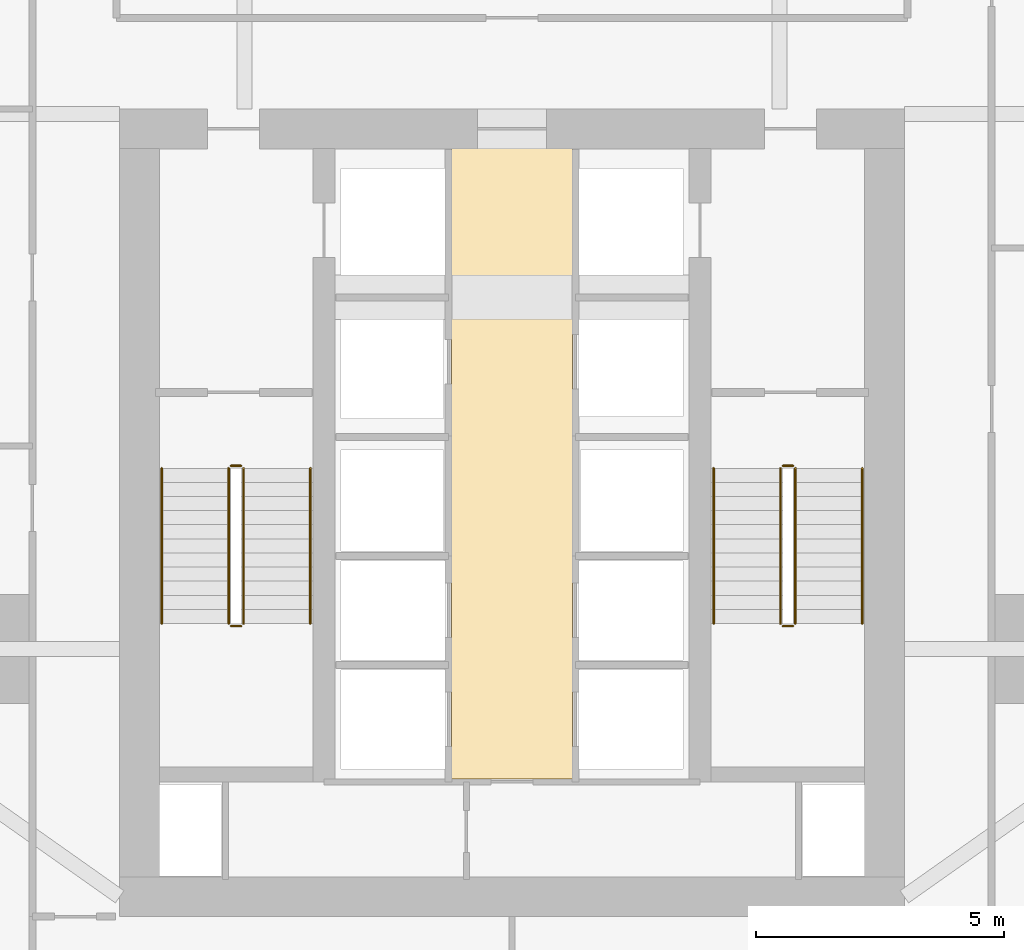
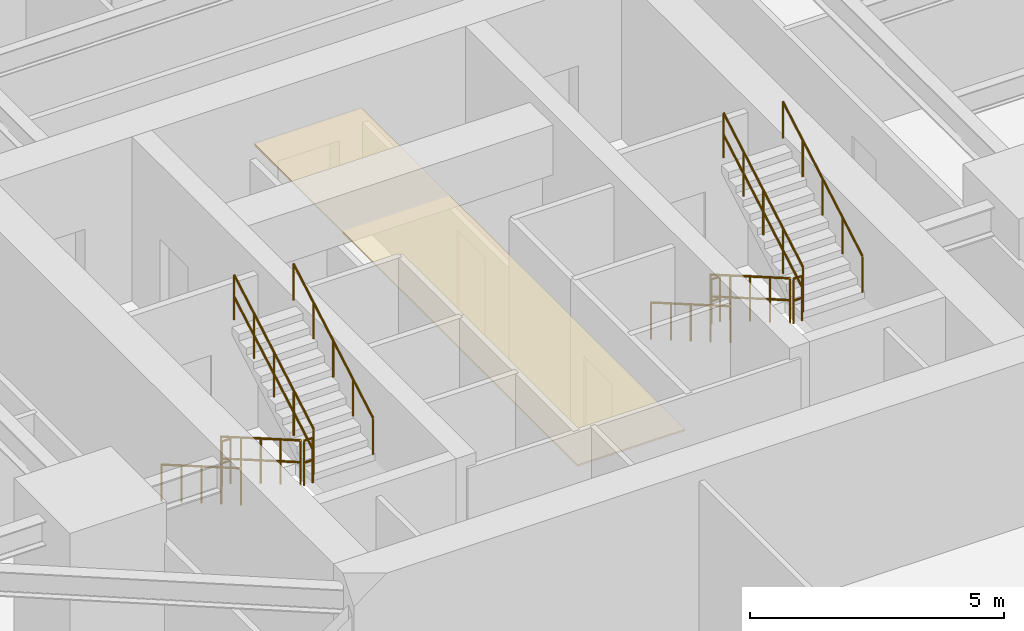
# One storey, part 27 of 28: 12 railings, 1 covering.
"""IFC4 building model written with IfcOpenShell, lengths in metres."""

from ifc_helpers import new_model, si_unit, direction, frame, origin, origin_2d, place, context, subcontext, project, spatial, polyline, circle, outline, extrude, material, layer, layer_set, type_object, element, save


model = new_model("IFC4")

# Units and contexts
model_context = context("Model", 3, precision=1e-05, world=origin(), true_north=direction((0.0, 1.0)))
body_context = subcontext(model_context, "Body", "Model", "MODEL_VIEW")
ifc_project = project(units=[si_unit("LENGTHUNIT", "METRE"), si_unit("AREAUNIT", "SQUARE_METRE"), si_unit("VOLUMEUNIT", "CUBIC_METRE"), si_unit("PLANEANGLEUNIT", "RADIAN"), si_unit("MASSUNIT", "GRAM", prefix="KILO")], contexts=[model_context])

# Site, building, storey
site_placement = place(None, origin())
site = spatial("IfcSite", under=ifc_project, at=site_placement, CompositionType="ELEMENT")
building_placement = place(site_placement, origin())
building = spatial("IfcBuilding", under=site, at=building_placement, Name="Krantzveldt Concourse Tower", CompositionType="ELEMENT")
storey_placement = place(building_placement, frame((0.0, 0.0, 32.89990234375)))
storey = spatial("IfcBuildingStorey", under=building, at=storey_placement, Name="L07", CompositionType="ELEMENT", Elevation=32.89990234375)

# Covering
ifc_material_1 = material(Name="Perforated acoustic mineral-fibre ceiling tile", Category="ceiling")
ifc_layer_1 = layer(ifc_material_1, 0.0400390625, Name="Perforated acoustic mineral-fibre ceiling tile", Category="ceiling")
ifc_layer_set_1 = layer_set([ifc_layer_1], Name="Perforated acoustic mineral-fibre ceiling tile (COV-CEIL-ACOUSTIC)")
covering_type = type_object("IfcCoveringType", Name="COV-CEIL-ACOUSTIC", PredefinedType="CEILING", material=ifc_layer_set_1)
covering_placement = place(storey_placement, frame((0.0, 0.0, 2.75)))
element("IfcCovering", 1, at=covering_placement, inside=storey, type_object=covering_type, Name="CLG-L07-LLB", PredefinedType="CEILING", context=body_context, shape_type="SweptSolid", body=[
    extrude(outline(polyline([(37.22509765625, 13.27490234375), (34.77490234375, 13.27490234375), (34.77490234375, 26.044921875), (37.22509765625, 26.044921875), (37.22509765625, 13.27490234375)])), origin(), (0.0, 0.0, 1.0), 0.0400390625),
])

# Railings
ifc_material_2 = material(Name="Stainless steel 316L", Category="steel")
ifc_layer_2 = layer(ifc_material_2, 0.06005859375, Name="Stainless steel 316L", Category="steel")
ifc_layer_set_2 = layer_set([ifc_layer_2], Name="Stainless steel 316L (RL-GUARD-1120)")
railing_type_1 = type_object("IfcRailingType", Name="RL-GUARD-1120", PredefinedType="GUARDRAIL", material=ifc_layer_set_2)
railing_1_placement = place(storey_placement, frame((30.280029296875, 19.550048828125, 0.164794921875)))
element("IfcRailing", 2, at=railing_1_placement, inside=storey, type_object=railing_type_1, Name="L07 ST-1 stair guard 1", PredefinedType="GUARDRAIL", context=body_context, shape_type="SweptSolid", body=[
    extrude(circle(Radius=0.02392578125, at=origin_2d()), frame((0.0, 0.0, 1.076171875), z_axis=(0.0, -0.865989039225, 0.500062979975), x_axis=(1.0, 0.0, 0.0)), (0.0, 0.0, 1.0), 3.6201171875),
    extrude(circle(Radius=0.02392578125, at=origin_2d()), frame((0.0, 0.0, 0.550048828125), z_axis=(0.0, -0.865989039225, 0.500062979975), x_axis=(1.0, 0.0, 0.0)), (0.0, 0.0, 1.0), 3.6201171875),
    extrude(circle(Radius=0.02099609375, at=origin_2d()), origin(), (0.0, 0.0, 1.0), 1.052001953125),
    extrude(circle(Radius=0.02099609375, at=origin_2d()), frame((0.0, -0.78369140625, 0.45263671875)), (0.0, 0.0, 1.0), 1.052001953125),
    extrude(circle(Radius=0.02099609375, at=origin_2d()), frame((0.0, -1.5673828125, 0.9052734375)), (0.0, 0.0, 1.0), 1.052001953125),
    extrude(circle(Radius=0.02099609375, at=origin_2d()), frame((0.0, -2.351318359375, 1.357666015625)), (0.0, 0.0, 1.0), 1.052001953125),
    extrude(circle(Radius=0.02099609375, at=origin_2d()), frame((0.0, -3.135009765625, 1.810302734375)), (0.0, 0.0, 1.0), 1.052001953125),
])
railing_2_placement = place(storey_placement, frame((30.330078125, 16.364990234375, 1.97509765625)))
element("IfcRailing", 3, at=railing_2_placement, inside=storey, type_object=railing_type_1, Name="L07 ST-1 stair guard 2", PredefinedType="GUARDRAIL", context=body_context, shape_type="SweptSolid", body=[
    extrude(circle(Radius=0.02392578125, at=origin_2d()), frame((0.0, 0.0, 1.076171875), z_axis=(1.0, 0.0, 0.0), x_axis=(0.0, 1.0, 0.0)), (0.0, 0.0, 1.0), 0.199951171875),
    extrude(circle(Radius=0.02392578125, at=origin_2d()), frame((0.0, 0.0, 0.550048828125), z_axis=(1.0, 0.0, 0.0), x_axis=(0.0, 1.0, 0.0)), (0.0, 0.0, 1.0), 0.199951171875),
    extrude(circle(Radius=0.02099609375, at=origin_2d()), origin(), (0.0, 0.0, 1.0), 1.052001953125),
    extrude(circle(Radius=0.02099609375, at=origin_2d()), frame((0.199951171875, 0.0, 0.0)), (0.0, 0.0, 1.0), 1.052001953125),
])
railing_3_placement = place(storey_placement, frame((30.580078125, 16.4150390625, 2.1396484375)))
element("IfcRailing", 4, at=railing_3_placement, inside=storey, type_object=railing_type_1, Name="L07 ST-1 stair guard 3", PredefinedType="GUARDRAIL", context=body_context, shape_type="SweptSolid", body=[
    extrude(circle(Radius=0.02392578125, at=origin_2d()), frame((0.0, 0.0, 1.076171875), z_axis=(0.0, 0.865959834175, 0.500113552702), x_axis=(-1.0, 0.0, 0.0)), (0.0, 0.0, 1.0), 3.620361328125),
    extrude(circle(Radius=0.02392578125, at=origin_2d()), frame((0.0, 0.0, 0.550048828125), z_axis=(0.0, 0.865959834175, 0.500113552702), x_axis=(-1.0, 0.0, 0.0)), (0.0, 0.0, 1.0), 3.620361328125),
    extrude(circle(Radius=0.02099609375, at=origin_2d()), origin(), (0.0, 0.0, 1.0), 1.052001953125),
    extrude(circle(Radius=0.02099609375, at=origin_2d()), frame((0.0, 0.78369140625, 0.45263671875)), (0.0, 0.0, 1.0), 1.052001953125),
    extrude(circle(Radius=0.02099609375, at=origin_2d()), frame((0.0, 1.5673828125, 0.9052734375)), (0.0, 0.0, 1.0), 1.052001953125),
    extrude(circle(Radius=0.02099609375, at=origin_2d()), frame((0.0, 2.351318359375, 1.35791015625)), (0.0, 0.0, 1.0), 1.052001953125),
    extrude(circle(Radius=0.02099609375, at=origin_2d()), frame((0.0, 3.135009765625, 1.810546875)), (0.0, 0.0, 1.0), 1.052001953125),
])
railing_4_placement = place(storey_placement, frame((30.330078125, 19.60009765625, 0.0)))
element("IfcRailing", 5, at=railing_4_placement, inside=storey, type_object=railing_type_1, Name="L07 ST-1 stair guard 4", PredefinedType="GUARDRAIL", context=body_context, shape_type="SweptSolid", body=[
    extrude(circle(Radius=0.02392578125, at=origin_2d()), frame((0.0, 0.0, 1.076171875), z_axis=(1.0, 0.0, 0.0), x_axis=(0.0, 1.0, 0.0)), (0.0, 0.0, 1.0), 0.199951171875),
    extrude(circle(Radius=0.02392578125, at=origin_2d()), frame((0.0, 0.0, 0.550048828125), z_axis=(1.0, 0.0, 0.0), x_axis=(0.0, 1.0, 0.0)), (0.0, 0.0, 1.0), 0.199951171875),
    extrude(circle(Radius=0.02099609375, at=origin_2d()), origin(), (0.0, 0.0, 1.0), 1.052001953125),
    extrude(circle(Radius=0.02099609375, at=origin_2d()), frame((0.199951171875, 0.0, 0.0)), (0.0, 0.0, 1.0), 1.052001953125),
])
railing_5_placement = place(storey_placement, frame((41.419921875, 19.550048828125, 0.164794921875)))
element("IfcRailing", 6, at=railing_5_placement, inside=storey, type_object=railing_type_1, Name="L07 ST-2 stair guard 1", PredefinedType="GUARDRAIL", context=body_context, shape_type="SweptSolid", body=[
    extrude(circle(Radius=0.02392578125, at=origin_2d()), frame((0.0, 0.0, 1.076171875), z_axis=(0.0, -0.865989039225, 0.500062979975), x_axis=(1.0, 0.0, 0.0)), (0.0, 0.0, 1.0), 3.6201171875),
    extrude(circle(Radius=0.02392578125, at=origin_2d()), frame((0.0, 0.0, 0.550048828125), z_axis=(0.0, -0.865989039225, 0.500062979975), x_axis=(1.0, 0.0, 0.0)), (0.0, 0.0, 1.0), 3.6201171875),
    extrude(circle(Radius=0.02099609375, at=origin_2d()), origin(), (0.0, 0.0, 1.0), 1.052001953125),
    extrude(circle(Radius=0.02099609375, at=origin_2d()), frame((0.0, -0.78369140625, 0.45263671875)), (0.0, 0.0, 1.0), 1.052001953125),
    extrude(circle(Radius=0.02099609375, at=origin_2d()), frame((0.0, -1.5673828125, 0.9052734375)), (0.0, 0.0, 1.0), 1.052001953125),
    extrude(circle(Radius=0.02099609375, at=origin_2d()), frame((0.0, -2.351318359375, 1.357666015625)), (0.0, 0.0, 1.0), 1.052001953125),
    extrude(circle(Radius=0.02099609375, at=origin_2d()), frame((0.0, -3.135009765625, 1.810302734375)), (0.0, 0.0, 1.0), 1.052001953125),
])
railing_6_placement = place(storey_placement, frame((41.469970703125, 16.364990234375, 1.97509765625)))
element("IfcRailing", 7, at=railing_6_placement, inside=storey, type_object=railing_type_1, Name="L07 ST-2 stair guard 2", PredefinedType="GUARDRAIL", context=body_context, shape_type="SweptSolid", body=[
    extrude(circle(Radius=0.02392578125, at=origin_2d()), frame((0.0, 0.0, 1.076171875), z_axis=(1.0, 0.0, 0.0), x_axis=(0.0, 1.0, 0.0)), (0.0, 0.0, 1.0), 0.199951171875),
    extrude(circle(Radius=0.02392578125, at=origin_2d()), frame((0.0, 0.0, 0.550048828125), z_axis=(1.0, 0.0, 0.0), x_axis=(0.0, 1.0, 0.0)), (0.0, 0.0, 1.0), 0.199951171875),
    extrude(circle(Radius=0.02099609375, at=origin_2d()), origin(), (0.0, 0.0, 1.0), 1.052001953125),
    extrude(circle(Radius=0.02099609375, at=origin_2d()), frame((0.199951171875, 0.0, 0.0)), (0.0, 0.0, 1.0), 1.052001953125),
])
railing_7_placement = place(storey_placement, frame((41.719970703125, 16.4150390625, 2.1396484375)))
element("IfcRailing", 8, at=railing_7_placement, inside=storey, type_object=railing_type_1, Name="L07 ST-2 stair guard 3", PredefinedType="GUARDRAIL", context=body_context, shape_type="SweptSolid", body=[
    extrude(circle(Radius=0.02392578125, at=origin_2d()), frame((0.0, 0.0, 1.076171875), z_axis=(0.0, 0.865959834175, 0.500113552702), x_axis=(-1.0, 0.0, 0.0)), (0.0, 0.0, 1.0), 3.620361328125),
    extrude(circle(Radius=0.02392578125, at=origin_2d()), frame((0.0, 0.0, 0.550048828125), z_axis=(0.0, 0.865959834175, 0.500113552702), x_axis=(-1.0, 0.0, 0.0)), (0.0, 0.0, 1.0), 3.620361328125),
    extrude(circle(Radius=0.02099609375, at=origin_2d()), origin(), (0.0, 0.0, 1.0), 1.052001953125),
    extrude(circle(Radius=0.02099609375, at=origin_2d()), frame((0.0, 0.78369140625, 0.45263671875)), (0.0, 0.0, 1.0), 1.052001953125),
    extrude(circle(Radius=0.02099609375, at=origin_2d()), frame((0.0, 1.5673828125, 0.9052734375)), (0.0, 0.0, 1.0), 1.052001953125),
    extrude(circle(Radius=0.02099609375, at=origin_2d()), frame((0.0, 2.351318359375, 1.35791015625)), (0.0, 0.0, 1.0), 1.052001953125),
    extrude(circle(Radius=0.02099609375, at=origin_2d()), frame((0.0, 3.135009765625, 1.810546875)), (0.0, 0.0, 1.0), 1.052001953125),
])
railing_8_placement = place(storey_placement, frame((41.469970703125, 19.60009765625, 0.0)))
element("IfcRailing", 9, at=railing_8_placement, inside=storey, type_object=railing_type_1, Name="L07 ST-2 stair guard 4", PredefinedType="GUARDRAIL", context=body_context, shape_type="SweptSolid", body=[
    extrude(circle(Radius=0.02392578125, at=origin_2d()), frame((0.0, 0.0, 1.076171875), z_axis=(1.0, 0.0, 0.0), x_axis=(0.0, 1.0, 0.0)), (0.0, 0.0, 1.0), 0.199951171875),
    extrude(circle(Radius=0.02392578125, at=origin_2d()), frame((0.0, 0.0, 0.550048828125), z_axis=(1.0, 0.0, 0.0), x_axis=(0.0, 1.0, 0.0)), (0.0, 0.0, 1.0), 0.199951171875),
    extrude(circle(Radius=0.02099609375, at=origin_2d()), origin(), (0.0, 0.0, 1.0), 1.052001953125),
    extrude(circle(Radius=0.02099609375, at=origin_2d()), frame((0.199951171875, 0.0, 0.0)), (0.0, 0.0, 1.0), 1.052001953125),
])
ifc_layer_3 = layer(ifc_material_2, 0.050048828125, Name="Stainless steel 316L", Category="steel")
ifc_layer_set_3 = layer_set([ifc_layer_3], Name="Stainless steel 316L (RL-HANDRAIL-920)")
railing_type_2 = type_object("IfcRailingType", Name="RL-HANDRAIL-920", PredefinedType="HANDRAIL", material=ifc_layer_set_3)
railing_9_placement = place(storey_placement, frame((28.929931640625, 19.550048828125, 0.164794921875)))
element("IfcRailing", 10, at=railing_9_placement, inside=storey, type_object=railing_type_2, Name="L07 ST-1 stair handrail 1", PredefinedType="HANDRAIL", context=body_context, shape_type="SweptSolid", body=[
    extrude(circle(Radius=0.02392578125, at=origin_2d()), frame((0.0, 0.0, 0.8759765625), z_axis=(0.0, -0.865989039225, 0.500062979975), x_axis=(1.0, 0.0, 0.0)), (0.0, 0.0, 1.0), 3.6201171875),
    extrude(circle(Radius=0.02099609375, at=origin_2d()), origin(), (0.0, 0.0, 1.0), 0.851806640625),
    extrude(circle(Radius=0.02099609375, at=origin_2d()), frame((0.0, -0.78369140625, 0.45263671875)), (0.0, 0.0, 1.0), 0.851806640625),
    extrude(circle(Radius=0.02099609375, at=origin_2d()), frame((0.0, -1.5673828125, 0.9052734375)), (0.0, 0.0, 1.0), 0.851806640625),
    extrude(circle(Radius=0.02099609375, at=origin_2d()), frame((0.0, -2.351318359375, 1.357666015625)), (0.0, 0.0, 1.0), 0.851806640625),
    extrude(circle(Radius=0.02099609375, at=origin_2d()), frame((0.0, -3.135009765625, 1.810302734375)), (0.0, 0.0, 1.0), 0.851806640625),
])
railing_10_placement = place(storey_placement, frame((31.929931640625, 16.4150390625, 2.1396484375)))
element("IfcRailing", 11, at=railing_10_placement, inside=storey, type_object=railing_type_2, Name="L07 ST-1 stair handrail 2", PredefinedType="HANDRAIL", context=body_context, shape_type="SweptSolid", body=[
    extrude(circle(Radius=0.02392578125, at=origin_2d()), frame((0.0, 0.0, 0.8759765625), z_axis=(0.0, 0.865959834175, 0.500113552702), x_axis=(-1.0, 0.0, 0.0)), (0.0, 0.0, 1.0), 3.620361328125),
    extrude(circle(Radius=0.02099609375, at=origin_2d()), origin(), (0.0, 0.0, 1.0), 0.851806640625),
    extrude(circle(Radius=0.02099609375, at=origin_2d()), frame((0.0, 0.78369140625, 0.45263671875)), (0.0, 0.0, 1.0), 0.851806640625),
    extrude(circle(Radius=0.02099609375, at=origin_2d()), frame((0.0, 1.5673828125, 0.9052734375)), (0.0, 0.0, 1.0), 0.851806640625),
    extrude(circle(Radius=0.02099609375, at=origin_2d()), frame((0.0, 2.351318359375, 1.35791015625)), (0.0, 0.0, 1.0), 0.851806640625),
    extrude(circle(Radius=0.02099609375, at=origin_2d()), frame((0.0, 3.135009765625, 1.810546875)), (0.0, 0.0, 1.0), 0.851806640625),
])
railing_11_placement = place(storey_placement, frame((40.070068359375, 19.550048828125, 0.164794921875)))
element("IfcRailing", 12, at=railing_11_placement, inside=storey, type_object=railing_type_2, Name="L07 ST-2 stair handrail 1", PredefinedType="HANDRAIL", context=body_context, shape_type="SweptSolid", body=[
    extrude(circle(Radius=0.02392578125, at=origin_2d()), frame((0.0, 0.0, 0.8759765625), z_axis=(0.0, -0.865989039225, 0.500062979975), x_axis=(1.0, 0.0, 0.0)), (0.0, 0.0, 1.0), 3.6201171875),
    extrude(circle(Radius=0.02099609375, at=origin_2d()), origin(), (0.0, 0.0, 1.0), 0.851806640625),
    extrude(circle(Radius=0.02099609375, at=origin_2d()), frame((0.0, -0.78369140625, 0.45263671875)), (0.0, 0.0, 1.0), 0.851806640625),
    extrude(circle(Radius=0.02099609375, at=origin_2d()), frame((0.0, -1.5673828125, 0.9052734375)), (0.0, 0.0, 1.0), 0.851806640625),
    extrude(circle(Radius=0.02099609375, at=origin_2d()), frame((0.0, -2.351318359375, 1.357666015625)), (0.0, 0.0, 1.0), 0.851806640625),
    extrude(circle(Radius=0.02099609375, at=origin_2d()), frame((0.0, -3.135009765625, 1.810302734375)), (0.0, 0.0, 1.0), 0.851806640625),
])
railing_12_placement = place(storey_placement, frame((43.070068359375, 16.4150390625, 2.1396484375)))
element("IfcRailing", 13, at=railing_12_placement, inside=storey, type_object=railing_type_2, Name="L07 ST-2 stair handrail 2", PredefinedType="HANDRAIL", context=body_context, shape_type="SweptSolid", body=[
    extrude(circle(Radius=0.02392578125, at=origin_2d()), frame((0.0, 0.0, 0.8759765625), z_axis=(0.0, 0.865959834175, 0.500113552702), x_axis=(-1.0, 0.0, 0.0)), (0.0, 0.0, 1.0), 3.620361328125),
    extrude(circle(Radius=0.02099609375, at=origin_2d()), origin(), (0.0, 0.0, 1.0), 0.851806640625),
    extrude(circle(Radius=0.02099609375, at=origin_2d()), frame((0.0, 0.78369140625, 0.45263671875)), (0.0, 0.0, 1.0), 0.851806640625),
    extrude(circle(Radius=0.02099609375, at=origin_2d()), frame((0.0, 1.5673828125, 0.9052734375)), (0.0, 0.0, 1.0), 0.851806640625),
    extrude(circle(Radius=0.02099609375, at=origin_2d()), frame((0.0, 2.351318359375, 1.35791015625)), (0.0, 0.0, 1.0), 0.851806640625),
    extrude(circle(Radius=0.02099609375, at=origin_2d()), frame((0.0, 3.135009765625, 1.810546875)), (0.0, 0.0, 1.0), 0.851806640625),
])

save(model, "model.ifc")
